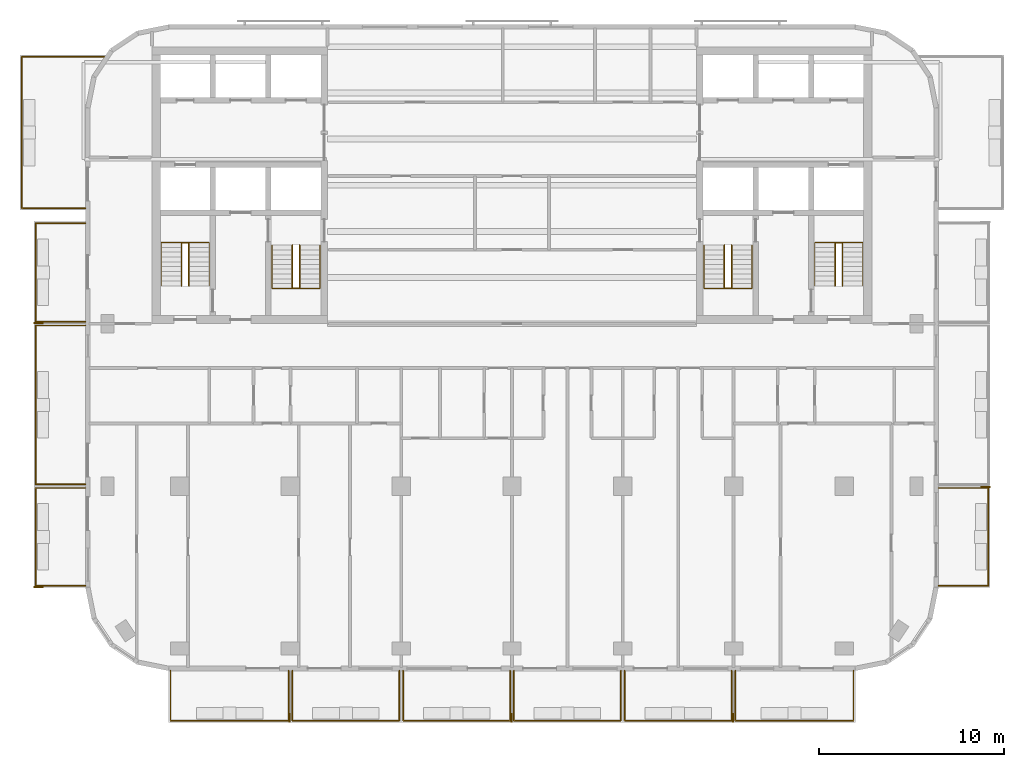
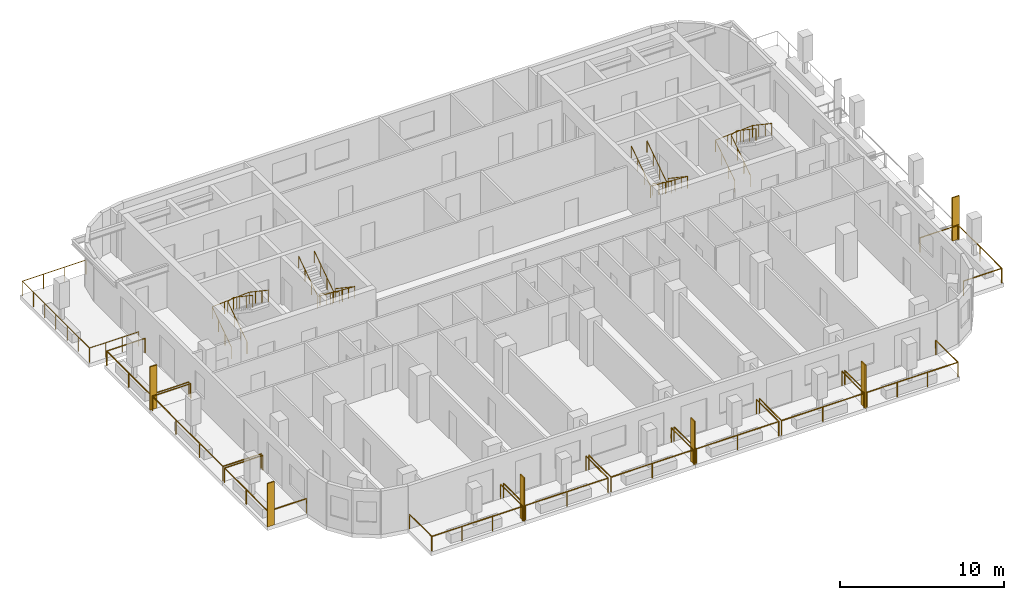
# One storey, part 9 of 11: 19 railings, 6 shading devices.
"""IFC4 building model written with IfcOpenShell, lengths in metres."""

from ifc_helpers import new_model, si_unit, direction, frame, origin, origin_2d, place, context, subcontext, project, spatial, rectangle, circle, extrude, material, layer, layer_set, type_object, element, save


model = new_model("IFC4")

# Units and contexts
model_context = context("Model", 3, precision=1e-05, world=origin(), true_north=direction((0.0, 1.0)))
body_context = subcontext(model_context, "Body", "Model", "MODEL_VIEW")
ifc_project = project(units=[si_unit("LENGTHUNIT", "METRE"), si_unit("AREAUNIT", "SQUARE_METRE"), si_unit("VOLUMEUNIT", "CUBIC_METRE"), si_unit("PLANEANGLEUNIT", "RADIAN"), si_unit("MASSUNIT", "GRAM", prefix="KILO")], contexts=[model_context])

# Site, building, storey
site_placement = place(None, origin())
site = spatial("IfcSite", under=ifc_project, at=site_placement, CompositionType="ELEMENT")
building_placement = place(site_placement, origin())
building = spatial("IfcBuilding", under=site, at=building_placement, Name="Torana Hotel and Residences", CompositionType="ELEMENT")
storey_placement = place(building_placement, frame((0.0, 0.0, 277.10009765625)))
storey = spatial("IfcBuildingStorey", under=building, at=storey_placement, Name="L73", CompositionType="ELEMENT", Elevation=277.10009765625)

# Shading devices
ifc_material_1 = material(Name="Black powder coated aluminium", Category="aluminium")
ifc_layer = layer(ifc_material_1, 0.080078125)
ifc_layer_set = layer_set([ifc_layer], Name="FN1 VERTICAL FIN 500x80")
shading_device_type = type_object("IfcShadingDeviceType", Name="FN1 VERTICAL FIN 500x80", PredefinedType="USERDEFINED", material=ifc_layer_set)
for number, where, z_axis, x_axis, name in (
    (1, (-12.0400390625, -36.35009765625, 0.0), (0.0, 0.0, 1.0), (-1.0, 0.0, 0.0), "Fin 01"),
    (2, (-0.0400390625, -36.35009765625, 0.0), (0.0, 0.0, 1.0), (-1.0, 0.0, 0.0), "Fin 03"),
    (3, (11.9599609375, -36.35009765625, 0.0), (0.0, 0.0, 1.0), (-1.0, 0.0, 0.0), "Fin 05"),
    (4, (-25.64990234375, -29.260009765625, 0.0), (0.0, 0.0, 1.0), (0.0, 1.0, 0.0), "Fin 07"),
    (5, (-25.64990234375, -14.9599609375, 0.0), (0.0, 0.0, 1.0), (0.0, 1.0, 0.0), "Fin 09"),
    (6, (25.64990234375, -23.840087890625, 0.0), (0.0, 0.0, 1.0), (0.0, -1.0, 0.0), "Fin 11"),
):
    element("IfcShadingDevice", number, at=place(storey_placement, frame(where, z_axis=z_axis, x_axis=x_axis)), inside=storey, type_object=shading_device_type, Name=name, ObjectType="FIN", PredefinedType="USERDEFINED", context=body_context, shape_type="SweptSolid", body=[
        extrude(rectangle(XDim=0.080078125, YDim=0.5, at=origin_2d()), origin(), (0.0, 0.0, 1.0), 3.219970703125),
    ])

# Railings
ifc_material_2 = material(Name="Laminated glass balustrade with black handrail", Category="glass")
railing_type_1 = type_object("IfcRailingType", Name="GR1 BALCONY GUARD 1100 GLASS", PredefinedType="GUARDRAIL", material=ifc_material_2)
railing_1_placement = place(storey_placement, frame((-12.10009765625, -33.800048828125, 0.0)))
element("IfcRailing", 7, at=railing_1_placement, inside=storey, type_object=railing_type_1, Name="Balcony guard 01", PredefinedType="GUARDRAIL", context=body_context, shape_type="SweptSolid", body=[
    extrude(circle(Radius=0.02392578125, at=origin_2d()), frame((0.0, 0.0, 1.076171875), z_axis=(0.0, -1.0, 0.0), x_axis=(1.0, 0.0, 0.0)), (0.0, 0.0, 1.0), 2.699951171875),
    extrude(circle(Radius=0.02392578125, at=origin_2d()), frame((0.0, -2.699951171875, 1.076171875), z_axis=(-1.0, 0.0, 0.0), x_axis=(0.0, -1.0, 0.0)), (0.0, 0.0, 1.0), 6.39990234375),
    extrude(circle(Radius=0.02392578125, at=origin_2d()), frame((-6.39990234375, -2.699951171875, 1.076171875), z_axis=(0.0, 1.0, 0.0), x_axis=(-1.0, 0.0, 0.0)), (0.0, 0.0, 1.0), 2.699951171875),
    extrude(circle(Radius=0.02099609375, at=origin_2d()), origin(), (0.0, 0.0, 1.0), 1.052001953125),
    extrude(circle(Radius=0.02099609375, at=origin_2d()), frame((0.0, -2.699951171875, 0.0)), (0.0, 0.0, 1.0), 1.052001953125),
    extrude(circle(Radius=0.02099609375, at=origin_2d()), frame((-2.13330078125, -2.699951171875, 0.0)), (0.0, 0.0, 1.0), 1.052001953125),
    extrude(circle(Radius=0.02099609375, at=origin_2d()), frame((-4.2666015625, -2.699951171875, 0.0)), (0.0, 0.0, 1.0), 1.052001953125),
    extrude(circle(Radius=0.02099609375, at=origin_2d()), frame((-6.39990234375, -2.699951171875, 0.0)), (0.0, 0.0, 1.0), 1.052001953125),
    extrude(circle(Radius=0.02099609375, at=origin_2d()), frame((-6.39990234375, 0.0, 0.0)), (0.0, 0.0, 1.0), 1.052001953125),
])
for number, where, name in (
    (8, (-6.10009765625, -33.800048828125, 0.0), "Balcony guard 02"),
    (9, (-0.10009765625, -33.800048828125, 0.0), "Balcony guard 03"),
    (10, (5.89990234375, -33.800048828125, 0.0), "Balcony guard 04"),
    (11, (11.89990234375, -33.800048828125, 0.0), "Balcony guard 05"),
):
    element("IfcRailing", number, at=place(storey_placement, frame(where)), inside=storey, type_object=railing_type_1, Name=name, PredefinedType="GUARDRAIL", context=body_context, shape_type="SweptSolid", body=[
        extrude(circle(Radius=0.02392578125, at=origin_2d()), frame((0.0, 0.0, 1.076171875), z_axis=(0.0, -1.0, 0.0), x_axis=(1.0, 0.0, 0.0)), (0.0, 0.0, 1.0), 2.699951171875),
        extrude(circle(Radius=0.02392578125, at=origin_2d()), frame((0.0, -2.699951171875, 1.076171875), z_axis=(-1.0, 0.0, 0.0), x_axis=(0.0, -1.0, 0.0)), (0.0, 0.0, 1.0), 5.7998046875),
        extrude(circle(Radius=0.02392578125, at=origin_2d()), frame((-5.7998046875, -2.699951171875, 1.076171875), z_axis=(0.0, 1.0, 0.0), x_axis=(-1.0, 0.0, 0.0)), (0.0, 0.0, 1.0), 2.699951171875),
        extrude(circle(Radius=0.02099609375, at=origin_2d()), origin(), (0.0, 0.0, 1.0), 1.052001953125),
        extrude(circle(Radius=0.02099609375, at=origin_2d()), frame((0.0, -2.699951171875, 0.0)), (0.0, 0.0, 1.0), 1.052001953125),
        extrude(circle(Radius=0.02099609375, at=origin_2d()), frame((-2.89990234375, -2.699951171875, 0.0)), (0.0, 0.0, 1.0), 1.052001953125),
        extrude(circle(Radius=0.02099609375, at=origin_2d()), frame((-5.7998046875, -2.699951171875, 0.0)), (0.0, 0.0, 1.0), 1.052001953125),
        extrude(circle(Radius=0.02099609375, at=origin_2d()), frame((-5.7998046875, 0.0, 0.0)), (0.0, 0.0, 1.0), 1.052001953125),
    ])
railing_2_placement = place(storey_placement, frame((18.5, -33.800048828125, 0.0)))
element("IfcRailing", 12, at=railing_2_placement, inside=storey, type_object=railing_type_1, Name="Balcony guard 06", PredefinedType="GUARDRAIL", context=body_context, shape_type="SweptSolid", body=[
    extrude(circle(Radius=0.02392578125, at=origin_2d()), frame((0.0, 0.0, 1.076171875), z_axis=(0.0, -1.0, 0.0), x_axis=(1.0, 0.0, 0.0)), (0.0, 0.0, 1.0), 2.699951171875),
    extrude(circle(Radius=0.02392578125, at=origin_2d()), frame((0.0, -2.699951171875, 1.076171875), z_axis=(-1.0, 0.0, 0.0), x_axis=(0.0, -1.0, 0.0)), (0.0, 0.0, 1.0), 6.39990234375),
    extrude(circle(Radius=0.02392578125, at=origin_2d()), frame((-6.39990234375, -2.699951171875, 1.076171875), z_axis=(0.0, 1.0, 0.0), x_axis=(-1.0, 0.0, 0.0)), (0.0, 0.0, 1.0), 2.699951171875),
    extrude(circle(Radius=0.02099609375, at=origin_2d()), origin(), (0.0, 0.0, 1.0), 1.052001953125),
    extrude(circle(Radius=0.02099609375, at=origin_2d()), frame((0.0, -2.699951171875, 0.0)), (0.0, 0.0, 1.0), 1.052001953125),
    extrude(circle(Radius=0.02099609375, at=origin_2d()), frame((-2.13330078125, -2.699951171875, 0.0)), (0.0, 0.0, 1.0), 1.052001953125),
    extrude(circle(Radius=0.02099609375, at=origin_2d()), frame((-4.2666015625, -2.699951171875, 0.0)), (0.0, 0.0, 1.0), 1.052001953125),
    extrude(circle(Radius=0.02099609375, at=origin_2d()), frame((-6.39990234375, -2.699951171875, 0.0)), (0.0, 0.0, 1.0), 1.052001953125),
    extrude(circle(Radius=0.02099609375, at=origin_2d()), frame((-6.39990234375, 0.0, 0.0)), (0.0, 0.0, 1.0), 1.052001953125),
])
railing_3_placement = place(storey_placement, frame((-23.10009765625, -29.199951171875, 0.0)))
element("IfcRailing", 13, at=railing_3_placement, inside=storey, type_object=railing_type_1, Name="Balcony guard 07", PredefinedType="GUARDRAIL", context=body_context, shape_type="SweptSolid", body=[
    extrude(circle(Radius=0.02392578125, at=origin_2d()), frame((0.0, 0.0, 1.076171875), z_axis=(-1.0, 0.0, 0.0), x_axis=(0.0, -1.0, 0.0)), (0.0, 0.0, 1.0), 2.699951171875),
    extrude(circle(Radius=0.02392578125, at=origin_2d()), frame((-2.699951171875, 0.0, 1.076171875), z_axis=(0.0, 1.0, 0.0), x_axis=(-1.0, 0.0, 0.0)), (0.0, 0.0, 1.0), 5.300048828125),
    extrude(circle(Radius=0.02392578125, at=origin_2d()), frame((-2.699951171875, 5.300048828125, 1.076171875), z_axis=(1.0, 0.0, 0.0), x_axis=(0.0, 1.0, 0.0)), (0.0, 0.0, 1.0), 2.699951171875),
    extrude(circle(Radius=0.02099609375, at=origin_2d()), origin(), (0.0, 0.0, 1.0), 1.052001953125),
    extrude(circle(Radius=0.02099609375, at=origin_2d()), frame((-2.699951171875, 0.0, 0.0)), (0.0, 0.0, 1.0), 1.052001953125),
    extrude(circle(Radius=0.02099609375, at=origin_2d()), frame((-2.699951171875, 2.64990234375, 0.0)), (0.0, 0.0, 1.0), 1.052001953125),
    extrude(circle(Radius=0.02099609375, at=origin_2d()), frame((-2.699951171875, 5.300048828125, 0.0)), (0.0, 0.0, 1.0), 1.052001953125),
    extrude(circle(Radius=0.02099609375, at=origin_2d()), frame((0.0, 5.300048828125, 0.0)), (0.0, 0.0, 1.0), 1.052001953125),
])
railing_4_placement = place(storey_placement, frame((-23.10009765625, -23.699951171875, 0.0)))
element("IfcRailing", 14, at=railing_4_placement, inside=storey, type_object=railing_type_1, Name="Balcony guard 08", PredefinedType="GUARDRAIL", context=body_context, shape_type="SweptSolid", body=[
    extrude(circle(Radius=0.02392578125, at=origin_2d()), frame((0.0, 0.0, 1.076171875), z_axis=(-1.0, 0.0, 0.0), x_axis=(0.0, -1.0, 0.0)), (0.0, 0.0, 1.0), 2.699951171875),
    extrude(circle(Radius=0.02392578125, at=origin_2d()), frame((-2.699951171875, 0.0, 1.076171875), z_axis=(0.0, 1.0, 0.0), x_axis=(-1.0, 0.0, 0.0)), (0.0, 0.0, 1.0), 8.599853515625),
    extrude(circle(Radius=0.02392578125, at=origin_2d()), frame((-2.699951171875, 8.599853515625, 1.076171875), z_axis=(1.0, 0.0, 0.0), x_axis=(0.0, 1.0, 0.0)), (0.0, 0.0, 1.0), 2.699951171875),
    extrude(circle(Radius=0.02099609375, at=origin_2d()), origin(), (0.0, 0.0, 1.0), 1.052001953125),
    extrude(circle(Radius=0.02099609375, at=origin_2d()), frame((-2.699951171875, 0.0, 0.0)), (0.0, 0.0, 1.0), 1.052001953125),
    extrude(circle(Radius=0.02099609375, at=origin_2d()), frame((-2.699951171875, 2.86669921875, 0.0)), (0.0, 0.0, 1.0), 1.052001953125),
    extrude(circle(Radius=0.02099609375, at=origin_2d()), frame((-2.699951171875, 5.733154296875, 0.0)), (0.0, 0.0, 1.0), 1.052001953125),
    extrude(circle(Radius=0.02099609375, at=origin_2d()), frame((-2.699951171875, 8.599853515625, 0.0)), (0.0, 0.0, 1.0), 1.052001953125),
    extrude(circle(Radius=0.02099609375, at=origin_2d()), frame((0.0, 8.599853515625, 0.0)), (0.0, 0.0, 1.0), 1.052001953125),
])
railing_5_placement = place(storey_placement, frame((-23.10009765625, -14.89990234375, 0.0)))
element("IfcRailing", 15, at=railing_5_placement, inside=storey, type_object=railing_type_1, Name="Balcony guard 09", PredefinedType="GUARDRAIL", context=body_context, shape_type="SweptSolid", body=[
    extrude(circle(Radius=0.02392578125, at=origin_2d()), frame((0.0, 0.0, 1.076171875), z_axis=(-1.0, 0.0, 0.0), x_axis=(0.0, -1.0, 0.0)), (0.0, 0.0, 1.0), 2.699951171875),
    extrude(circle(Radius=0.02392578125, at=origin_2d()), frame((-2.699951171875, 0.0, 1.076171875), z_axis=(0.0, 1.0, 0.0), x_axis=(-1.0, 0.0, 0.0)), (0.0, 0.0, 1.0), 5.349853515625),
    extrude(circle(Radius=0.02392578125, at=origin_2d()), frame((-2.699951171875, 5.349853515625, 1.076171875), z_axis=(1.0, 0.0, 0.0), x_axis=(0.0, 1.0, 0.0)), (0.0, 0.0, 1.0), 2.699951171875),
    extrude(circle(Radius=0.02099609375, at=origin_2d()), origin(), (0.0, 0.0, 1.0), 1.052001953125),
    extrude(circle(Radius=0.02099609375, at=origin_2d()), frame((-2.699951171875, 0.0, 0.0)), (0.0, 0.0, 1.0), 1.052001953125),
    extrude(circle(Radius=0.02099609375, at=origin_2d()), frame((-2.699951171875, 2.6748046875, 0.0)), (0.0, 0.0, 1.0), 1.052001953125),
    extrude(circle(Radius=0.02099609375, at=origin_2d()), frame((-2.699951171875, 5.349853515625, 0.0)), (0.0, 0.0, 1.0), 1.052001953125),
    extrude(circle(Radius=0.02099609375, at=origin_2d()), frame((0.0, 5.349853515625, 0.0)), (0.0, 0.0, 1.0), 1.052001953125),
])
railing_6_placement = place(storey_placement, frame((-23.10009765625, -8.75, 0.0)))
element("IfcRailing", 16, at=railing_6_placement, inside=storey, type_object=railing_type_1, Name="Balcony guard 10", PredefinedType="GUARDRAIL", context=body_context, shape_type="SweptSolid", body=[
    extrude(circle(Radius=0.02392578125, at=origin_2d()), frame((0.0, 0.0, 1.076171875), z_axis=(-1.0, 0.0, 0.0), x_axis=(0.0, -1.0, 0.0)), (0.0, 0.0, 1.0), 3.449951171875),
    extrude(circle(Radius=0.02392578125, at=origin_2d()), frame((-3.449951171875, 0.0, 1.076171875), z_axis=(0.0, 1.0, 0.0), x_axis=(-1.0, 0.0, 0.0)), (0.0, 0.0, 1.0), 8.199951171875),
    extrude(circle(Radius=0.02392578125, at=origin_2d()), frame((-3.449951171875, 8.199951171875, 1.076171875), z_axis=(1.0, 0.0, 0.0), x_axis=(0.0, 1.0, 0.0)), (0.0, 0.0, 1.0), 4.479248046875),
    extrude(circle(Radius=0.02099609375, at=origin_2d()), origin(), (0.0, 0.0, 1.0), 1.052001953125),
    extrude(circle(Radius=0.02099609375, at=origin_2d()), frame((-1.14990234375, 0.0, 0.0)), (0.0, 0.0, 1.0), 1.052001953125),
    extrude(circle(Radius=0.02099609375, at=origin_2d()), frame((-2.300048828125, 0.0, 0.0)), (0.0, 0.0, 1.0), 1.052001953125),
    extrude(circle(Radius=0.02099609375, at=origin_2d()), frame((-3.449951171875, 0.0, 0.0)), (0.0, 0.0, 1.0), 1.052001953125),
    extrude(circle(Radius=0.02099609375, at=origin_2d()), frame((-3.449951171875, 1.36669921875, 0.0)), (0.0, 0.0, 1.0), 1.052001953125),
    extrude(circle(Radius=0.02099609375, at=origin_2d()), frame((-3.449951171875, 2.7333984375, 0.0)), (0.0, 0.0, 1.0), 1.052001953125),
    extrude(circle(Radius=0.02099609375, at=origin_2d()), frame((-3.449951171875, 4.10009765625, 0.0)), (0.0, 0.0, 1.0), 1.052001953125),
    extrude(circle(Radius=0.02099609375, at=origin_2d()), frame((-3.449951171875, 5.466552734375, 0.0)), (0.0, 0.0, 1.0), 1.052001953125),
    extrude(circle(Radius=0.02099609375, at=origin_2d()), frame((-3.449951171875, 6.833251953125, 0.0)), (0.0, 0.0, 1.0), 1.052001953125),
    extrude(circle(Radius=0.02099609375, at=origin_2d()), frame((-3.449951171875, 8.199951171875, 0.0)), (0.0, 0.0, 1.0), 1.052001953125),
    extrude(circle(Radius=0.02099609375, at=origin_2d()), frame((-1.956787109375, 8.199951171875, 0.0)), (0.0, 0.0, 1.0), 1.052001953125),
    extrude(circle(Radius=0.02099609375, at=origin_2d()), frame((-0.4638671875, 8.199951171875, 0.0)), (0.0, 0.0, 1.0), 1.052001953125),
    extrude(circle(Radius=0.02099609375, at=origin_2d()), frame((1.029296875, 8.199951171875, 0.0)), (0.0, 0.0, 1.0), 1.052001953125),
])
railing_7_placement = place(storey_placement, frame((23.10009765625, -23.89990234375, 0.0)))
element("IfcRailing", 17, at=railing_7_placement, inside=storey, type_object=railing_type_1, Name="Balcony guard 11", PredefinedType="GUARDRAIL", context=body_context, shape_type="SweptSolid", body=[
    extrude(circle(Radius=0.02392578125, at=origin_2d()), frame((0.0, 0.0, 1.076171875), z_axis=(1.0, 0.0, 0.0), x_axis=(0.0, 1.0, 0.0)), (0.0, 0.0, 1.0), 2.699951171875),
    extrude(circle(Radius=0.02392578125, at=origin_2d()), frame((2.699951171875, 0.0, 1.076171875), z_axis=(0.0, -1.0, 0.0), x_axis=(1.0, 0.0, 0.0)), (0.0, 0.0, 1.0), 5.300048828125),
    extrude(circle(Radius=0.02392578125, at=origin_2d()), frame((2.699951171875, -5.300048828125, 1.076171875), z_axis=(-1.0, 0.0, 0.0), x_axis=(0.0, -1.0, 0.0)), (0.0, 0.0, 1.0), 2.699951171875),
    extrude(circle(Radius=0.02099609375, at=origin_2d()), origin(), (0.0, 0.0, 1.0), 1.052001953125),
    extrude(circle(Radius=0.02099609375, at=origin_2d()), frame((2.699951171875, 0.0, 0.0)), (0.0, 0.0, 1.0), 1.052001953125),
    extrude(circle(Radius=0.02099609375, at=origin_2d()), frame((2.699951171875, -2.64990234375, 0.0)), (0.0, 0.0, 1.0), 1.052001953125),
    extrude(circle(Radius=0.02099609375, at=origin_2d()), frame((2.699951171875, -5.300048828125, 0.0)), (0.0, 0.0, 1.0), 1.052001953125),
    extrude(circle(Radius=0.02099609375, at=origin_2d()), frame((0.0, -5.300048828125, 0.0)), (0.0, 0.0, 1.0), 1.052001953125),
])
ifc_material_3 = material(Name="Stainless steel 316", Category="steel")
railing_type_2 = type_object("IfcRailingType", Name="STAIR HANDRAIL HR1 900", PredefinedType="HANDRAIL", material=ifc_material_3)
railing_8_placement = place(storey_placement, frame((-10.39990234375, -10.75, 0.1748046875)))
element("IfcRailing", 18, at=railing_8_placement, inside=storey, type_object=railing_type_2, Name="Handrail ST1 L73 O1", PredefinedType="HANDRAIL", context=body_context, shape_type="SweptSolid", body=[
    extrude(circle(Radius=0.02392578125, at=origin_2d()), frame((0.0, 0.0, 0.8759765625), z_axis=(0.0, -0.829565388462, 0.558409586474), x_axis=(1.0, 0.0, 0.0)), (0.0, 0.0, 1.0), 2.82080078125),
    extrude(circle(Radius=0.02392578125, at=origin_2d()), frame((0.0, -2.340087890625, 2.451171875), z_axis=(-0.997747692642, 0.0, 0.067078624219), x_axis=(0.0, -1.0, 0.0)), (0.0, 0.0, 1.0), 2.60595703125),
    extrude(circle(Radius=0.02392578125, at=origin_2d()), frame((-2.60009765625, -2.340087890625, 2.6259765625), z_axis=(0.0, 0.829565388462, 0.558409586474), x_axis=(-1.0, 0.0, 0.0)), (0.0, 0.0, 1.0), 2.82080078125),
    extrude(circle(Radius=0.02099609375, at=origin_2d()), origin(), (0.0, 0.0, 1.0), 0.851806640625),
    extrude(circle(Radius=0.02099609375, at=origin_2d()), frame((0.0, -0.780029296875, 0.525146484375)), (0.0, 0.0, 1.0), 0.851806640625),
    extrude(circle(Radius=0.02099609375, at=origin_2d()), frame((0.0, -1.56005859375, 1.050048828125)), (0.0, 0.0, 1.0), 0.851806640625),
    extrude(circle(Radius=0.02099609375, at=origin_2d()), frame((0.0, -2.340087890625, 1.5751953125)), (0.0, 0.0, 1.0), 0.851806640625),
    extrude(circle(Radius=0.02099609375, at=origin_2d()), frame((-0.86669921875, -2.340087890625, 1.633544921875)), (0.0, 0.0, 1.0), 0.851806640625),
    extrude(circle(Radius=0.02099609375, at=origin_2d()), frame((-1.7333984375, -2.340087890625, 1.691650390625)), (0.0, 0.0, 1.0), 0.851806640625),
    extrude(circle(Radius=0.02099609375, at=origin_2d()), frame((-2.60009765625, -2.340087890625, 1.75)), (0.0, 0.0, 1.0), 0.851806640625),
    extrude(circle(Radius=0.02099609375, at=origin_2d()), frame((-2.60009765625, -1.56005859375, 2.275146484375)), (0.0, 0.0, 1.0), 0.851806640625),
    extrude(circle(Radius=0.02099609375, at=origin_2d()), frame((-2.60009765625, -0.780029296875, 2.800048828125)), (0.0, 0.0, 1.0), 0.851806640625),
    extrude(circle(Radius=0.02099609375, at=origin_2d()), frame((-2.60009765625, 0.0, 3.3251953125)), (0.0, 0.0, 1.0), 0.851806640625),
])
railing_9_placement = place(storey_placement, frame((-11.5, -10.75, 0.1748046875)))
element("IfcRailing", 19, at=railing_9_placement, inside=storey, type_object=railing_type_2, Name="Handrail ST1 L73 I1", PredefinedType="HANDRAIL", context=body_context, shape_type="SweptSolid", body=[
    extrude(circle(Radius=0.02392578125, at=origin_2d()), frame((0.0, 0.0, 0.8759765625), z_axis=(0.0, -0.829565388462, 0.558409586474), x_axis=(1.0, 0.0, 0.0)), (0.0, 0.0, 1.0), 2.82080078125),
    extrude(circle(Radius=0.02392578125, at=origin_2d()), frame((0.0, -2.340087890625, 2.451171875), z_axis=(-0.916285673175, 0.0, 0.400525361412), x_axis=(0.0, -1.0, 0.0)), (0.0, 0.0, 1.0), 0.4365234375),
    extrude(circle(Radius=0.02392578125, at=origin_2d()), frame((-0.39990234375, -2.340087890625, 2.6259765625), z_axis=(0.0, 0.829565388462, 0.558409586474), x_axis=(-1.0, 0.0, 0.0)), (0.0, 0.0, 1.0), 2.82080078125),
    extrude(circle(Radius=0.02099609375, at=origin_2d()), origin(), (0.0, 0.0, 1.0), 0.851806640625),
    extrude(circle(Radius=0.02099609375, at=origin_2d()), frame((0.0, -0.780029296875, 0.525146484375)), (0.0, 0.0, 1.0), 0.851806640625),
    extrude(circle(Radius=0.02099609375, at=origin_2d()), frame((0.0, -1.56005859375, 1.050048828125)), (0.0, 0.0, 1.0), 0.851806640625),
    extrude(circle(Radius=0.02099609375, at=origin_2d()), frame((0.0, -2.340087890625, 1.5751953125)), (0.0, 0.0, 1.0), 0.851806640625),
    extrude(circle(Radius=0.02099609375, at=origin_2d()), frame((-0.39990234375, -2.340087890625, 1.75)), (0.0, 0.0, 1.0), 0.851806640625),
    extrude(circle(Radius=0.02099609375, at=origin_2d()), frame((-0.39990234375, -1.56005859375, 2.275146484375)), (0.0, 0.0, 1.0), 0.851806640625),
    extrude(circle(Radius=0.02099609375, at=origin_2d()), frame((-0.39990234375, -0.780029296875, 2.800048828125)), (0.0, 0.0, 1.0), 0.851806640625),
    extrude(circle(Radius=0.02099609375, at=origin_2d()), frame((-0.39990234375, 0.0, 3.3251953125)), (0.0, 0.0, 1.0), 0.851806640625),
])
railing_10_placement = place(storey_placement, frame((-19.0, -12.949951171875, 0.1748046875)))
element("IfcRailing", 20, at=railing_10_placement, inside=storey, type_object=railing_type_2, Name="Handrail ST2 L73 O1", PredefinedType="HANDRAIL", context=body_context, shape_type="SweptSolid", body=[
    extrude(circle(Radius=0.02392578125, at=origin_2d()), frame((0.0, 0.0, 0.8759765625), z_axis=(0.0, 0.829538397957, 0.558449681095), x_axis=(-1.0, 0.0, 0.0)), (0.0, 0.0, 1.0), 2.820556640625),
    extrude(circle(Radius=0.02392578125, at=origin_2d()), frame((0.0, 2.33984375, 2.451171875), z_axis=(0.997747692642, 0.0, 0.067078624219), x_axis=(0.0, 1.0, 0.0)), (0.0, 0.0, 1.0), 2.60595703125),
    extrude(circle(Radius=0.02392578125, at=origin_2d()), frame((2.60009765625, 2.33984375, 2.6259765625), z_axis=(0.0, -0.829538397957, 0.558449681095), x_axis=(1.0, 0.0, 0.0)), (0.0, 0.0, 1.0), 2.820556640625),
    extrude(circle(Radius=0.02099609375, at=origin_2d()), origin(), (0.0, 0.0, 1.0), 0.851806640625),
    extrude(circle(Radius=0.02099609375, at=origin_2d()), frame((0.0, 0.780029296875, 0.525146484375)), (0.0, 0.0, 1.0), 0.851806640625),
    extrude(circle(Radius=0.02099609375, at=origin_2d()), frame((0.0, 1.559814453125, 1.050048828125)), (0.0, 0.0, 1.0), 0.851806640625),
    extrude(circle(Radius=0.02099609375, at=origin_2d()), frame((0.0, 2.33984375, 1.5751953125)), (0.0, 0.0, 1.0), 0.851806640625),
    extrude(circle(Radius=0.02099609375, at=origin_2d()), frame((0.86669921875, 2.33984375, 1.633544921875)), (0.0, 0.0, 1.0), 0.851806640625),
    extrude(circle(Radius=0.02099609375, at=origin_2d()), frame((1.7333984375, 2.33984375, 1.691650390625)), (0.0, 0.0, 1.0), 0.851806640625),
    extrude(circle(Radius=0.02099609375, at=origin_2d()), frame((2.60009765625, 2.33984375, 1.75)), (0.0, 0.0, 1.0), 0.851806640625),
    extrude(circle(Radius=0.02099609375, at=origin_2d()), frame((2.60009765625, 1.559814453125, 2.275146484375)), (0.0, 0.0, 1.0), 0.851806640625),
    extrude(circle(Radius=0.02099609375, at=origin_2d()), frame((2.60009765625, 0.780029296875, 2.800048828125)), (0.0, 0.0, 1.0), 0.851806640625),
    extrude(circle(Radius=0.02099609375, at=origin_2d()), frame((2.60009765625, 0.0, 3.3251953125)), (0.0, 0.0, 1.0), 0.851806640625),
])
railing_11_placement = place(storey_placement, frame((-17.89990234375, -12.949951171875, 0.1748046875)))
element("IfcRailing", 21, at=railing_11_placement, inside=storey, type_object=railing_type_2, Name="Handrail ST2 L73 I1", PredefinedType="HANDRAIL", context=body_context, shape_type="SweptSolid", body=[
    extrude(circle(Radius=0.02392578125, at=origin_2d()), frame((0.0, 0.0, 0.8759765625), z_axis=(0.0, 0.829538397957, 0.558449681095), x_axis=(-1.0, 0.0, 0.0)), (0.0, 0.0, 1.0), 2.820556640625),
    extrude(circle(Radius=0.02392578125, at=origin_2d()), frame((0.0, 2.33984375, 2.451171875), z_axis=(0.916285673175, 0.0, 0.400525361412), x_axis=(0.0, 1.0, 0.0)), (0.0, 0.0, 1.0), 0.4365234375),
    extrude(circle(Radius=0.02392578125, at=origin_2d()), frame((0.39990234375, 2.33984375, 2.6259765625), z_axis=(0.0, -0.829538397957, 0.558449681095), x_axis=(1.0, 0.0, 0.0)), (0.0, 0.0, 1.0), 2.820556640625),
    extrude(circle(Radius=0.02099609375, at=origin_2d()), origin(), (0.0, 0.0, 1.0), 0.851806640625),
    extrude(circle(Radius=0.02099609375, at=origin_2d()), frame((0.0, 0.780029296875, 0.525146484375)), (0.0, 0.0, 1.0), 0.851806640625),
    extrude(circle(Radius=0.02099609375, at=origin_2d()), frame((0.0, 1.559814453125, 1.050048828125)), (0.0, 0.0, 1.0), 0.851806640625),
    extrude(circle(Radius=0.02099609375, at=origin_2d()), frame((0.0, 2.33984375, 1.5751953125)), (0.0, 0.0, 1.0), 0.851806640625),
    extrude(circle(Radius=0.02099609375, at=origin_2d()), frame((0.39990234375, 2.33984375, 1.75)), (0.0, 0.0, 1.0), 0.851806640625),
    extrude(circle(Radius=0.02099609375, at=origin_2d()), frame((0.39990234375, 1.559814453125, 2.275146484375)), (0.0, 0.0, 1.0), 0.851806640625),
    extrude(circle(Radius=0.02099609375, at=origin_2d()), frame((0.39990234375, 0.780029296875, 2.800048828125)), (0.0, 0.0, 1.0), 0.851806640625),
    extrude(circle(Radius=0.02099609375, at=origin_2d()), frame((0.39990234375, 0.0, 3.3251953125)), (0.0, 0.0, 1.0), 0.851806640625),
])
railing_12_placement = place(storey_placement, frame((13.0, -10.75, 0.1748046875)))
element("IfcRailing", 22, at=railing_12_placement, inside=storey, type_object=railing_type_2, Name="Handrail ST3 L73 O1", PredefinedType="HANDRAIL", context=body_context, shape_type="SweptSolid", body=[
    extrude(circle(Radius=0.02392578125, at=origin_2d()), frame((0.0, 0.0, 0.8759765625), z_axis=(0.0, -0.829565388462, 0.558409586474), x_axis=(1.0, 0.0, 0.0)), (0.0, 0.0, 1.0), 2.82080078125),
    extrude(circle(Radius=0.02392578125, at=origin_2d()), frame((0.0, -2.340087890625, 2.451171875), z_axis=(-0.997747692642, 0.0, 0.067078624219), x_axis=(0.0, -1.0, 0.0)), (0.0, 0.0, 1.0), 2.60595703125),
    extrude(circle(Radius=0.02392578125, at=origin_2d()), frame((-2.60009765625, -2.340087890625, 2.6259765625), z_axis=(0.0, 0.829565388462, 0.558409586474), x_axis=(-1.0, 0.0, 0.0)), (0.0, 0.0, 1.0), 2.82080078125),
    extrude(circle(Radius=0.02099609375, at=origin_2d()), origin(), (0.0, 0.0, 1.0), 0.851806640625),
    extrude(circle(Radius=0.02099609375, at=origin_2d()), frame((0.0, -0.780029296875, 0.525146484375)), (0.0, 0.0, 1.0), 0.851806640625),
    extrude(circle(Radius=0.02099609375, at=origin_2d()), frame((0.0, -1.56005859375, 1.050048828125)), (0.0, 0.0, 1.0), 0.851806640625),
    extrude(circle(Radius=0.02099609375, at=origin_2d()), frame((0.0, -2.340087890625, 1.5751953125)), (0.0, 0.0, 1.0), 0.851806640625),
    extrude(circle(Radius=0.02099609375, at=origin_2d()), frame((-0.86669921875, -2.340087890625, 1.633544921875)), (0.0, 0.0, 1.0), 0.851806640625),
    extrude(circle(Radius=0.02099609375, at=origin_2d()), frame((-1.7333984375, -2.340087890625, 1.691650390625)), (0.0, 0.0, 1.0), 0.851806640625),
    extrude(circle(Radius=0.02099609375, at=origin_2d()), frame((-2.60009765625, -2.340087890625, 1.75)), (0.0, 0.0, 1.0), 0.851806640625),
    extrude(circle(Radius=0.02099609375, at=origin_2d()), frame((-2.60009765625, -1.56005859375, 2.275146484375)), (0.0, 0.0, 1.0), 0.851806640625),
    extrude(circle(Radius=0.02099609375, at=origin_2d()), frame((-2.60009765625, -0.780029296875, 2.800048828125)), (0.0, 0.0, 1.0), 0.851806640625),
    extrude(circle(Radius=0.02099609375, at=origin_2d()), frame((-2.60009765625, 0.0, 3.3251953125)), (0.0, 0.0, 1.0), 0.851806640625),
])
railing_13_placement = place(storey_placement, frame((11.89990234375, -10.75, 0.1748046875)))
element("IfcRailing", 23, at=railing_13_placement, inside=storey, type_object=railing_type_2, Name="Handrail ST3 L73 I1", PredefinedType="HANDRAIL", context=body_context, shape_type="SweptSolid", body=[
    extrude(circle(Radius=0.02392578125, at=origin_2d()), frame((0.0, 0.0, 0.8759765625), z_axis=(0.0, -0.829565388462, 0.558409586474), x_axis=(1.0, 0.0, 0.0)), (0.0, 0.0, 1.0), 2.82080078125),
    extrude(circle(Radius=0.02392578125, at=origin_2d()), frame((0.0, -2.340087890625, 2.451171875), z_axis=(-0.916285673175, 0.0, 0.400525361412), x_axis=(0.0, -1.0, 0.0)), (0.0, 0.0, 1.0), 0.4365234375),
    extrude(circle(Radius=0.02392578125, at=origin_2d()), frame((-0.39990234375, -2.340087890625, 2.6259765625), z_axis=(0.0, 0.829565388462, 0.558409586474), x_axis=(-1.0, 0.0, 0.0)), (0.0, 0.0, 1.0), 2.82080078125),
    extrude(circle(Radius=0.02099609375, at=origin_2d()), origin(), (0.0, 0.0, 1.0), 0.851806640625),
    extrude(circle(Radius=0.02099609375, at=origin_2d()), frame((0.0, -0.780029296875, 0.525146484375)), (0.0, 0.0, 1.0), 0.851806640625),
    extrude(circle(Radius=0.02099609375, at=origin_2d()), frame((0.0, -1.56005859375, 1.050048828125)), (0.0, 0.0, 1.0), 0.851806640625),
    extrude(circle(Radius=0.02099609375, at=origin_2d()), frame((0.0, -2.340087890625, 1.5751953125)), (0.0, 0.0, 1.0), 0.851806640625),
    extrude(circle(Radius=0.02099609375, at=origin_2d()), frame((-0.39990234375, -2.340087890625, 1.75)), (0.0, 0.0, 1.0), 0.851806640625),
    extrude(circle(Radius=0.02099609375, at=origin_2d()), frame((-0.39990234375, -1.56005859375, 2.275146484375)), (0.0, 0.0, 1.0), 0.851806640625),
    extrude(circle(Radius=0.02099609375, at=origin_2d()), frame((-0.39990234375, -0.780029296875, 2.800048828125)), (0.0, 0.0, 1.0), 0.851806640625),
    extrude(circle(Radius=0.02099609375, at=origin_2d()), frame((-0.39990234375, 0.0, 3.3251953125)), (0.0, 0.0, 1.0), 0.851806640625),
])
railing_14_placement = place(storey_placement, frame((16.39990234375, -12.949951171875, 0.1748046875)))
element("IfcRailing", 24, at=railing_14_placement, inside=storey, type_object=railing_type_2, Name="Handrail ST4 L73 O1", PredefinedType="HANDRAIL", context=body_context, shape_type="SweptSolid", body=[
    extrude(circle(Radius=0.02392578125, at=origin_2d()), frame((0.0, 0.0, 0.8759765625), z_axis=(0.0, 0.829538397957, 0.558449681095), x_axis=(-1.0, 0.0, 0.0)), (0.0, 0.0, 1.0), 2.820556640625),
    extrude(circle(Radius=0.02392578125, at=origin_2d()), frame((0.0, 2.33984375, 2.451171875), z_axis=(0.997747692642, 0.0, 0.067078624219), x_axis=(0.0, 1.0, 0.0)), (0.0, 0.0, 1.0), 2.60595703125),
    extrude(circle(Radius=0.02392578125, at=origin_2d()), frame((2.60009765625, 2.33984375, 2.6259765625), z_axis=(0.0, -0.829538397957, 0.558449681095), x_axis=(1.0, 0.0, 0.0)), (0.0, 0.0, 1.0), 2.820556640625),
    extrude(circle(Radius=0.02099609375, at=origin_2d()), origin(), (0.0, 0.0, 1.0), 0.851806640625),
    extrude(circle(Radius=0.02099609375, at=origin_2d()), frame((0.0, 0.780029296875, 0.525146484375)), (0.0, 0.0, 1.0), 0.851806640625),
    extrude(circle(Radius=0.02099609375, at=origin_2d()), frame((0.0, 1.559814453125, 1.050048828125)), (0.0, 0.0, 1.0), 0.851806640625),
    extrude(circle(Radius=0.02099609375, at=origin_2d()), frame((0.0, 2.33984375, 1.5751953125)), (0.0, 0.0, 1.0), 0.851806640625),
    extrude(circle(Radius=0.02099609375, at=origin_2d()), frame((0.86669921875, 2.33984375, 1.633544921875)), (0.0, 0.0, 1.0), 0.851806640625),
    extrude(circle(Radius=0.02099609375, at=origin_2d()), frame((1.7333984375, 2.33984375, 1.691650390625)), (0.0, 0.0, 1.0), 0.851806640625),
    extrude(circle(Radius=0.02099609375, at=origin_2d()), frame((2.60009765625, 2.33984375, 1.75)), (0.0, 0.0, 1.0), 0.851806640625),
    extrude(circle(Radius=0.02099609375, at=origin_2d()), frame((2.60009765625, 1.559814453125, 2.275146484375)), (0.0, 0.0, 1.0), 0.851806640625),
    extrude(circle(Radius=0.02099609375, at=origin_2d()), frame((2.60009765625, 0.780029296875, 2.800048828125)), (0.0, 0.0, 1.0), 0.851806640625),
    extrude(circle(Radius=0.02099609375, at=origin_2d()), frame((2.60009765625, 0.0, 3.3251953125)), (0.0, 0.0, 1.0), 0.851806640625),
])
railing_15_placement = place(storey_placement, frame((17.5, -12.949951171875, 0.1748046875)))
element("IfcRailing", 25, at=railing_15_placement, inside=storey, type_object=railing_type_2, Name="Handrail ST4 L73 I1", PredefinedType="HANDRAIL", context=body_context, shape_type="SweptSolid", body=[
    extrude(circle(Radius=0.02392578125, at=origin_2d()), frame((0.0, 0.0, 0.8759765625), z_axis=(0.0, 0.829538397957, 0.558449681095), x_axis=(-1.0, 0.0, 0.0)), (0.0, 0.0, 1.0), 2.820556640625),
    extrude(circle(Radius=0.02392578125, at=origin_2d()), frame((0.0, 2.33984375, 2.451171875), z_axis=(0.916285673175, 0.0, 0.400525361412), x_axis=(0.0, 1.0, 0.0)), (0.0, 0.0, 1.0), 0.4365234375),
    extrude(circle(Radius=0.02392578125, at=origin_2d()), frame((0.39990234375, 2.33984375, 2.6259765625), z_axis=(0.0, -0.829538397957, 0.558449681095), x_axis=(1.0, 0.0, 0.0)), (0.0, 0.0, 1.0), 2.820556640625),
    extrude(circle(Radius=0.02099609375, at=origin_2d()), origin(), (0.0, 0.0, 1.0), 0.851806640625),
    extrude(circle(Radius=0.02099609375, at=origin_2d()), frame((0.0, 0.780029296875, 0.525146484375)), (0.0, 0.0, 1.0), 0.851806640625),
    extrude(circle(Radius=0.02099609375, at=origin_2d()), frame((0.0, 1.559814453125, 1.050048828125)), (0.0, 0.0, 1.0), 0.851806640625),
    extrude(circle(Radius=0.02099609375, at=origin_2d()), frame((0.0, 2.33984375, 1.5751953125)), (0.0, 0.0, 1.0), 0.851806640625),
    extrude(circle(Radius=0.02099609375, at=origin_2d()), frame((0.39990234375, 2.33984375, 1.75)), (0.0, 0.0, 1.0), 0.851806640625),
    extrude(circle(Radius=0.02099609375, at=origin_2d()), frame((0.39990234375, 1.559814453125, 2.275146484375)), (0.0, 0.0, 1.0), 0.851806640625),
    extrude(circle(Radius=0.02099609375, at=origin_2d()), frame((0.39990234375, 0.780029296875, 2.800048828125)), (0.0, 0.0, 1.0), 0.851806640625),
    extrude(circle(Radius=0.02099609375, at=origin_2d()), frame((0.39990234375, 0.0, 3.3251953125)), (0.0, 0.0, 1.0), 0.851806640625),
])

save(model, "model.ifc")
